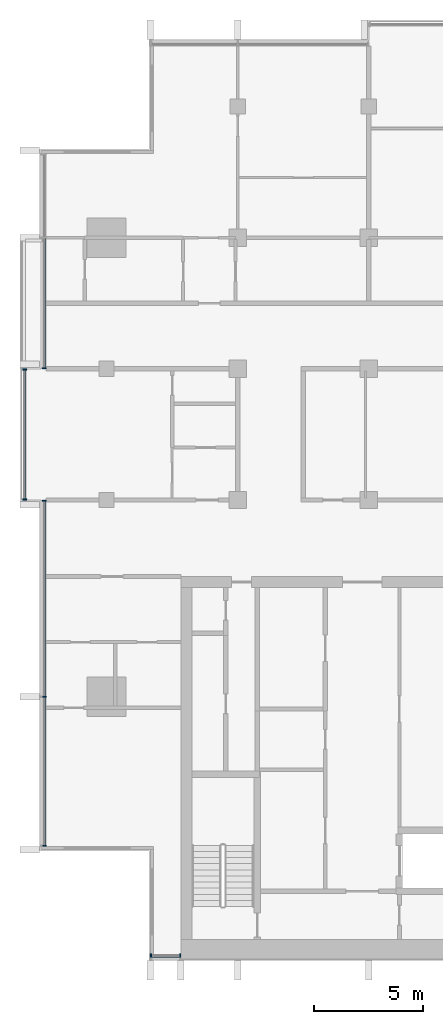
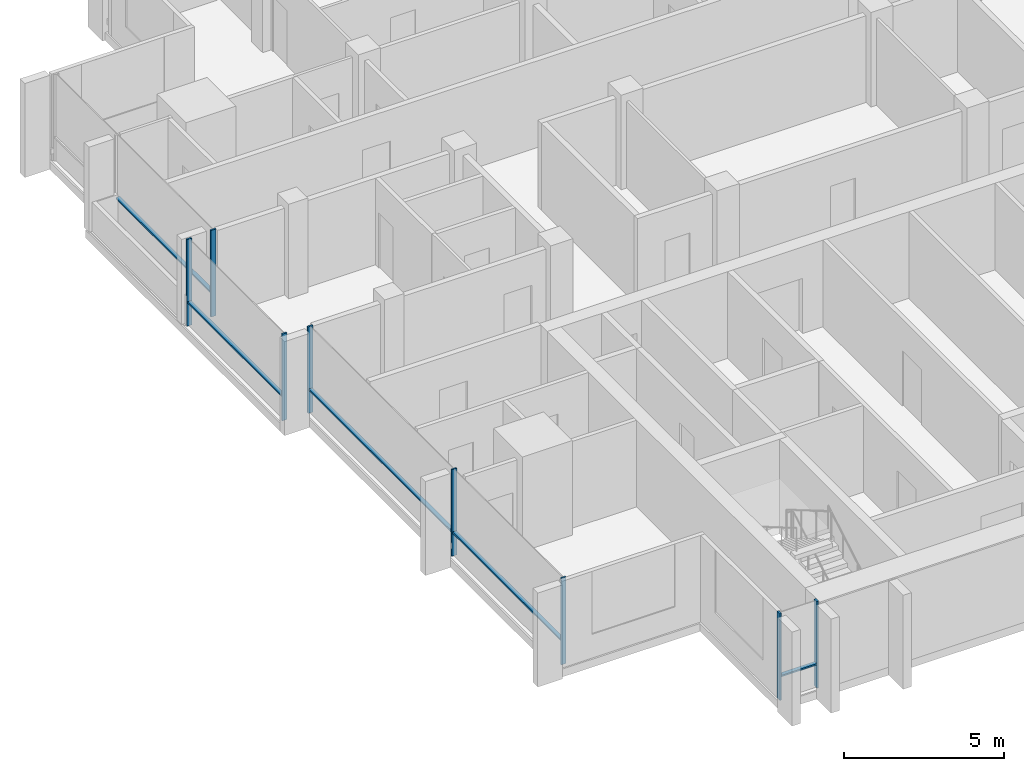
# One storey, part 2 of 16: 13 members, 4 elements without a shape of their own.
"""IFC4 building model written with IfcOpenShell, lengths in metres."""

from ifc_helpers import new_model, si_unit, direction, frame, origin, origin_2d, place, context, subcontext, project, spatial, rectangle, extrude, material, material_profile, profile_set, type_object, element, aggregate, save


model = new_model("IFC4")

# Units and contexts
model_context = context("Model", 3, precision=1e-05, world=origin(), true_north=direction((0.0, 1.0)))
body_context = subcontext(model_context, "Body", "Model", "MODEL_VIEW")
ifc_project = project(units=[si_unit("LENGTHUNIT", "METRE"), si_unit("AREAUNIT", "SQUARE_METRE"), si_unit("VOLUMEUNIT", "CUBIC_METRE"), si_unit("PLANEANGLEUNIT", "RADIAN"), si_unit("MASSUNIT", "GRAM", prefix="KILO")], contexts=[model_context])

# Site, building, storey
site_placement = place(None, origin())
site = spatial("IfcSite", under=ifc_project, at=site_placement, CompositionType="ELEMENT")
building_placement = place(site_placement, origin())
building = spatial("IfcBuilding", under=site, at=building_placement, Name="Finial Court Residences", CompositionType="ELEMENT")
storey_placement = place(building_placement, frame((0.0, 0.0, 284.300048828125)))
storey = spatial("IfcBuildingStorey", under=building, at=storey_placement, Name="L72", CompositionType="ELEMENT", Elevation=284.300048828125)

# Curtain wall, members
ifc_material = material(Name="Bronze anodised aluminium", Category="aluminium")
curtain_wall_type = type_object("IfcCurtainWallType", Name="Unitised curtain wall, upper zones", PredefinedType="NOTDEFINED", material=ifc_material)
curtain_wall_1_placement = place(storey_placement, origin())
curtain_wall_1 = element("IfcCurtainWall", 1, at=curtain_wall_1_placement, inside=storey, type_object=curtain_wall_type, Name="E-L72-CW-S7", PredefinedType="NOTDEFINED")
ifc_material_profile_1 = material_profile(ifc_material, rectangle(XDim=0.175048828125, YDim=0.06005859375, at=origin_2d()), Name="CW2 mullion 60 x 175")
ifc_profile_set_1 = profile_set([ifc_material_profile_1], Name="Bronze anodised aluminium")
member_type_1 = type_object("IfcMemberType", Name="CW2 mullion 60 x 175", PredefinedType="MULLION", material=ifc_profile_set_1)
member_1_placement = place(storey_placement, frame((-14.469970703125, -25.35009765625, 0.0), z_axis=(0.0, 0.0, 1.0), x_axis=(0.0, 1.0, 0.0)))
member_1 = element("IfcMember", 2, at=member_1_placement, type_object=member_type_1, Name="CW2 mullion 1", PredefinedType="MULLION", context=body_context, shape_type="SweptSolid", body=[
    extrude(rectangle(XDim=0.175048828125, YDim=0.06005859375, at=origin_2d()), origin(), (0.0, 0.0, 1.0), 3.300048828125),
])
member_2_placement = place(storey_placement, frame((-13.1298828125, -25.35009765625, 0.0), z_axis=(0.0, 0.0, 1.0), x_axis=(0.0, 1.0, 0.0)))
member_2 = element("IfcMember", 3, at=member_2_placement, type_object=member_type_1, Name="CW2 mullion 2", PredefinedType="MULLION", context=body_context, shape_type="SweptSolid", body=[
    extrude(rectangle(XDim=0.175048828125, YDim=0.06005859375, at=origin_2d()), origin(), (0.0, 0.0, 1.0), 3.300048828125),
])

curtain_wall_2_placement = place(storey_placement, origin())
curtain_wall_2 = element("IfcCurtainWall", 4, at=curtain_wall_2_placement, inside=storey, type_object=curtain_wall_type, Name="E-L72-CW-W9", PredefinedType="NOTDEFINED")
member_3_placement = place(storey_placement, frame((-19.35009765625, -20.320068359375, 0.0), z_axis=(0.0, 0.0, 1.0), x_axis=(-1.0, 0.0, 0.0)))
member_3 = element("IfcMember", 5, at=member_3_placement, type_object=member_type_1, Name="CW2 mullion 1", PredefinedType="MULLION", context=body_context, shape_type="SweptSolid", body=[
    extrude(rectangle(XDim=0.175048828125, YDim=0.06005859375, at=origin_2d()), origin(), (0.0, 0.0, 1.0), 3.300048828125),
])
member_4_placement = place(storey_placement, frame((-19.35009765625, -13.5, 0.0), z_axis=(0.0, 0.0, 1.0), x_axis=(-1.0, 0.0, 0.0)))
member_4 = element("IfcMember", 6, at=member_4_placement, type_object=member_type_1, Name="CW2 mullion 2", PredefinedType="MULLION", context=body_context, shape_type="SweptSolid", body=[
    extrude(rectangle(XDim=0.175048828125, YDim=0.06005859375, at=origin_2d()), origin(), (0.0, 0.0, 1.0), 3.300048828125),
])
member_5_placement = place(storey_placement, frame((-19.35009765625, -4.530029296875, 0.0), z_axis=(0.0, 0.0, 1.0), x_axis=(-1.0, 0.0, 0.0)))
member_5 = element("IfcMember", 7, at=member_5_placement, type_object=member_type_1, Name="CW2 mullion 3", PredefinedType="MULLION", context=body_context, shape_type="SweptSolid", body=[
    extrude(rectangle(XDim=0.175048828125, YDim=0.06005859375, at=origin_2d()), origin(), (0.0, 0.0, 1.0), 3.300048828125),
])

curtain_wall_3_placement = place(storey_placement, origin())
curtain_wall_3 = element("IfcCurtainWall", 8, at=curtain_wall_3_placement, inside=storey, type_object=curtain_wall_type, Name="E-L72-CW-W10", PredefinedType="NOTDEFINED")
member_6_placement = place(storey_placement, frame((-20.25, -4.469970703125, 0.0), z_axis=(0.0, 0.0, 1.0), x_axis=(-1.0, 0.0, 0.0)))
member_6 = element("IfcMember", 9, at=member_6_placement, type_object=member_type_1, Name="CW2 mullion 1", PredefinedType="MULLION", context=body_context, shape_type="SweptSolid", body=[
    extrude(rectangle(XDim=0.175048828125, YDim=0.06005859375, at=origin_2d()), origin(), (0.0, 0.0, 1.0), 3.300048828125),
])
member_7_placement = place(storey_placement, frame((-20.25, 1.469970703125, 0.0), z_axis=(0.0, 0.0, 1.0), x_axis=(-1.0, 0.0, 0.0)))
member_7 = element("IfcMember", 10, at=member_7_placement, type_object=member_type_1, Name="CW2 mullion 2", PredefinedType="MULLION", context=body_context, shape_type="SweptSolid", body=[
    extrude(rectangle(XDim=0.175048828125, YDim=0.06005859375, at=origin_2d()), origin(), (0.0, 0.0, 1.0), 3.300048828125),
])

# Curtain wall, member
curtain_wall_4_placement = place(storey_placement, origin())
curtain_wall_4 = element("IfcCurtainWall", 11, at=curtain_wall_4_placement, inside=storey, type_object=curtain_wall_type, Name="E-L72-CW-W11", PredefinedType="NOTDEFINED")
member_8_placement = place(storey_placement, frame((-19.35009765625, 1.530029296875, 0.0), z_axis=(0.0, 0.0, 1.0), x_axis=(-1.0, 0.0, 0.0)))
member_8 = element("IfcMember", 12, at=member_8_placement, type_object=member_type_1, Name="CW2 mullion 1", PredefinedType="MULLION", context=body_context, shape_type="SweptSolid", body=[
    extrude(rectangle(XDim=0.175048828125, YDim=0.06005859375, at=origin_2d()), origin(), (0.0, 0.0, 1.0), 3.300048828125),
])

# Member
ifc_material_profile_2 = material_profile(ifc_material, rectangle(XDim=0.139892578125, YDim=0.06005859375, at=origin_2d()), Name="CW2 transom 60 x 140")
ifc_profile_set_2 = profile_set([ifc_material_profile_2], Name="Bronze anodised aluminium")
member_type_2 = type_object("IfcMemberType", Name="CW2 transom 60 x 140", PredefinedType="USERDEFINED", material=ifc_profile_set_2)
member_9_placement = place(storey_placement, frame((-14.43994140625, -25.35009765625, 0.89990234375), z_axis=(1.0, 0.0, 0.0), x_axis=(0.0, 1.0, 0.0)))
member_9 = element("IfcMember", 13, at=member_9_placement, type_object=member_type_2, Name="CW2 transom 1.1", ObjectType="TRANSOM", PredefinedType="USERDEFINED", context=body_context, shape_type="SweptSolid", body=[
    extrude(rectangle(XDim=0.139892578125, YDim=0.06005859375, at=origin_2d()), origin(), (0.0, 0.0, 1.0), 1.280029296875),
])

aggregate(curtain_wall_1, [member_1, member_2, member_9])

member_10_placement = place(storey_placement, frame((-19.35009765625, -20.2900390625, 0.89990234375), z_axis=(0.0, 1.0, 0.0), x_axis=(-1.0, 0.0, 0.0)))
member_10 = element("IfcMember", 14, at=member_10_placement, type_object=member_type_2, Name="CW2 transom 1.1", ObjectType="TRANSOM", PredefinedType="USERDEFINED", context=body_context, shape_type="SweptSolid", body=[
    extrude(rectangle(XDim=0.139892578125, YDim=0.06005859375, at=origin_2d()), origin(), (0.0, 0.0, 1.0), 6.760009765625),
])

member_11_placement = place(storey_placement, frame((-19.35009765625, -13.469970703125, 0.89990234375), z_axis=(0.0, 1.0, 0.0), x_axis=(-1.0, 0.0, 0.0)))
member_11 = element("IfcMember", 15, at=member_11_placement, type_object=member_type_2, Name="CW2 transom 2.1", ObjectType="TRANSOM", PredefinedType="USERDEFINED", context=body_context, shape_type="SweptSolid", body=[
    extrude(rectangle(XDim=0.139892578125, YDim=0.06005859375, at=origin_2d()), origin(), (0.0, 0.0, 1.0), 8.909912109375),
])

aggregate(curtain_wall_2, [member_3, member_4, member_5, member_10, member_11])

member_12_placement = place(storey_placement, frame((-20.25, -4.43994140625, 0.89990234375), z_axis=(0.0, 1.0, 0.0), x_axis=(-1.0, 0.0, 0.0)))
member_12 = element("IfcMember", 16, at=member_12_placement, type_object=member_type_2, Name="CW2 transom 1.1", ObjectType="TRANSOM", PredefinedType="USERDEFINED", context=body_context, shape_type="SweptSolid", body=[
    extrude(rectangle(XDim=0.139892578125, YDim=0.06005859375, at=origin_2d()), origin(), (0.0, 0.0, 1.0), 5.8798828125),
])

aggregate(curtain_wall_3, [member_6, member_7, member_12])

member_13_placement = place(storey_placement, frame((-19.35009765625, 1.56005859375, 0.89990234375), z_axis=(0.0, 1.0, 0.0), x_axis=(-1.0, 0.0, 0.0)))
member_13 = element("IfcMember", 17, at=member_13_placement, type_object=member_type_2, Name="CW2 transom 1.1", ObjectType="TRANSOM", PredefinedType="USERDEFINED", context=body_context, shape_type="SweptSolid", body=[
    extrude(rectangle(XDim=0.139892578125, YDim=0.06005859375, at=origin_2d()), origin(), (0.0, 0.0, 1.0), 5.909912109375),
])

aggregate(curtain_wall_4, [member_8, member_13])

save(model, "model.ifc")
